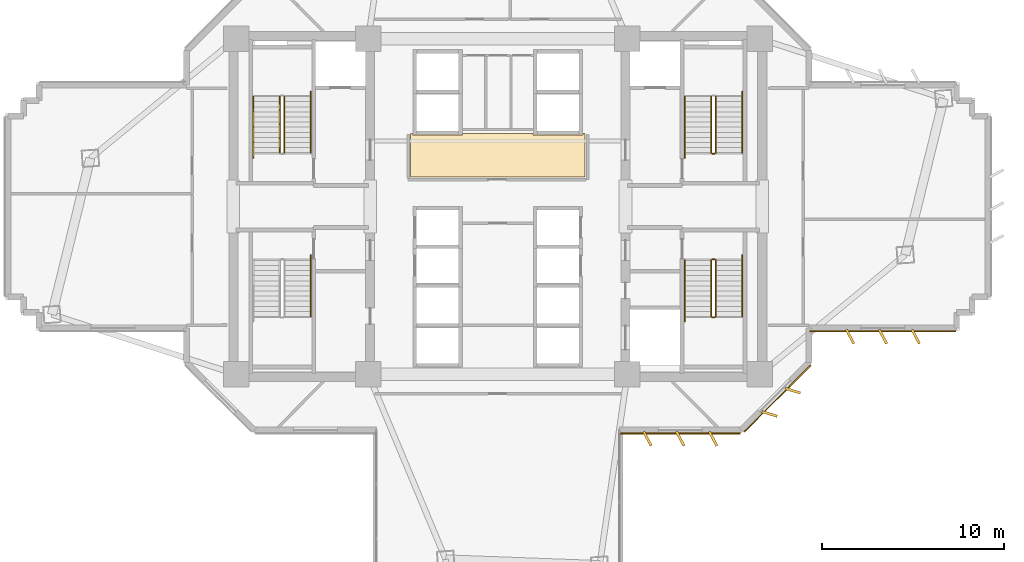
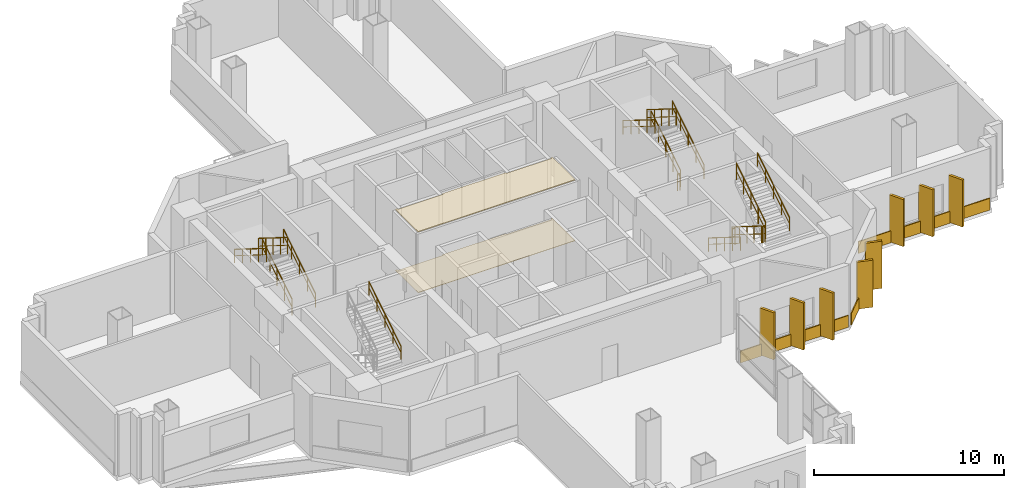
# One storey, part 11 of 14: 16 railings, 8 shading devices, 5 coverings.
"""IFC4 building model written with IfcOpenShell, lengths in metres."""

from ifc_helpers import new_model, si_unit, direction, frame, origin, origin_2d, place, context, subcontext, project, spatial, polyline, rectangle, outline, extrude, source, transform, mapped, material, layer, layer_set, type_object, element, save


model = new_model("IFC4")

# Units and contexts
model_context = context("Model", 3, precision=1e-05, world=origin(), true_north=direction((0.0, 1.0)))
body_context = subcontext(model_context, "Body", "Model", "MODEL_VIEW")
ifc_project = project(units=[si_unit("LENGTHUNIT", "METRE"), si_unit("AREAUNIT", "SQUARE_METRE"), si_unit("VOLUMEUNIT", "CUBIC_METRE"), si_unit("PLANEANGLEUNIT", "RADIAN"), si_unit("MASSUNIT", "GRAM", prefix="KILO")], contexts=[model_context])

# Site, building, storey
site_placement = place(None, origin())
site = spatial("IfcSite", under=ifc_project, at=site_placement, CompositionType="ELEMENT")
building_placement = place(site_placement, origin())
building = spatial("IfcBuilding", under=site, at=building_placement, Name="Zahravan Cultural Tower", CompositionType="ELEMENT")
storey_placement = place(building_placement, frame((0.0, 0.0, 33.300048828125)))
storey = spatial("IfcBuildingStorey", under=building, at=storey_placement, Name="L06", CompositionType="ELEMENT", Elevation=33.300048828125)

# Coverings
ifc_material_1 = material(Name="Acoustic mineral fibreboard")
ifc_layer_1 = layer(ifc_material_1, 0.0400390625)
ifc_layer_set_1 = layer_set([ifc_layer_1], Name="Acoustic mineral fibreboard")
covering_type_1 = type_object("IfcCoveringType", Name="COV-CEIL-AC20", PredefinedType="CEILING", material=ifc_layer_set_1)
covering_1_placement = place(storey_placement, frame((0.0, 0.0, 3.909912109375)))
element("IfcCovering", 1, at=covering_1_placement, inside=storey, type_object=covering_type_1, Name="L06 Acoustic Suspended Ceiling", PredefinedType="CEILING", context=body_context, shape_type="SweptSolid", body=[
    extrude(outline(polyline([(31.219970703125, 31.0), (31.219970703125, 28.6201171875), (40.780029296875, 28.6201171875), (40.780029296875, 31.0), (40.669921875, 31.0), (40.669921875, 30.929931640625), (37.929931640625, 30.929931640625), (37.929931640625, 31.0), (34.070068359375, 31.0), (34.070068359375, 30.929931640625), (31.330078125, 30.929931640625), (31.330078125, 31.0), (31.219970703125, 31.0)])), origin(), (0.0, 0.0, 1.0), 0.0400390625),
])
ifc_material_2 = material(Name="Terrazzo flooring")
ifc_layer_2 = layer(ifc_material_2, 0.02490234375)
ifc_layer_set_2 = layer_set([ifc_layer_2], Name="Terrazzo flooring")
covering_type_2 = type_object("IfcCoveringType", Name="COV-FLR-TZ25", PredefinedType="FLOORING", material=ifc_layer_set_2)
covering_2_placement = place(storey_placement, origin())
element("IfcCovering", 2, at=covering_2_placement, inside=storey, type_object=covering_type_2, Name="L06 Polished Terrazzo Flooring", PredefinedType="FLOORING", context=body_context, shape_type="SweptSolid", body=[
    extrude(outline(polyline([(31.219970703125, 31.0), (31.219970703125, 28.6201171875), (40.780029296875, 28.6201171875), (40.780029296875, 31.0), (40.669921875, 31.0), (40.669921875, 30.929931640625), (37.929931640625, 30.929931640625), (37.929931640625, 31.0), (34.070068359375, 31.0), (34.070068359375, 30.929931640625), (31.330078125, 30.929931640625), (31.330078125, 31.0), (31.219970703125, 31.0)])), origin(), (0.0, 0.0, 1.0), 0.02490234375),
])

# Railings
ifc_material_3 = material(Name="Steel ASTM A572 Grade 50", Category="steel")
railing_type_1 = type_object("IfcRailingType", Name="RL-STAIR-GRD1150", PredefinedType="BALUSTRADE", material=ifc_material_3)
railing_1_placement = place(storey_placement, frame((24.300048828125, 29.949951171875, 0.175048828125)))
element("IfcRailing", 3, at=railing_1_placement, inside=storey, type_object=railing_type_1, Name="L06 ST-W1 stair guard 1", PredefinedType="BALUSTRADE", context=body_context, shape_type="SweptSolid", body=[
    extrude(rectangle(XDim=0.05, YDim=0.05, at=origin_2d()), frame((0.0, 0.0, 1.0751953125), z_axis=(0.0, 0.848028513186, 0.529950602248), x_axis=(-1.0, 0.0, 0.0)), (0.0, 0.0, 1.0), 3.632080078125),
    extrude(rectangle(XDim=0.032, YDim=0.032, at=origin_2d()), frame((0.0, 0.0, 0.572021484375), z_axis=(0.0, 0.848028513186, 0.529950602248), x_axis=(-1.0, 0.0, 0.0)), (0.0, 0.0, 1.0), 3.632080078125),
    extrude(rectangle(XDim=0.04, YDim=0.04, at=origin_2d()), origin(), (0.0, 0.0, 1.0), 1.10009765625),
    extrude(rectangle(XDim=0.04, YDim=0.04, at=origin_2d()), frame((0.0, 0.77001953125, 0.481201171875)), (0.0, 0.0, 1.0), 1.10009765625),
    extrude(rectangle(XDim=0.04, YDim=0.04, at=origin_2d()), frame((0.0, 1.5400390625, 0.96240234375)), (0.0, 0.0, 1.0), 1.10009765625),
    extrude(rectangle(XDim=0.04, YDim=0.04, at=origin_2d()), frame((0.0, 2.31005859375, 1.443603515625)), (0.0, 0.0, 1.0), 1.10009765625),
    extrude(rectangle(XDim=0.04, YDim=0.04, at=origin_2d()), frame((0.0, 3.080078125, 1.9248046875)), (0.0, 0.0, 1.0), 1.10009765625),
])
railing_2_placement = place(storey_placement, frame((24.050048828125, 33.030029296875, 2.27490234375)))
element("IfcRailing", 4, at=railing_2_placement, inside=storey, type_object=railing_type_1, Name="L06 ST-W1 stair guard 3", PredefinedType="BALUSTRADE", context=body_context, shape_type="SweptSolid", body=[
    extrude(rectangle(XDim=0.05, YDim=0.05, at=origin_2d()), frame((0.0, 0.0, 1.0751953125), z_axis=(0.0, -0.847998304005, 0.529998940003), x_axis=(1.0, 0.0, 0.0)), (0.0, 0.0, 1.0), 3.632080078125),
    extrude(rectangle(XDim=0.032, YDim=0.032, at=origin_2d()), frame((0.0, 0.0, 0.572021484375), z_axis=(0.0, -0.847998304005, 0.529998940003), x_axis=(1.0, 0.0, 0.0)), (0.0, 0.0, 1.0), 3.632080078125),
    extrude(rectangle(XDim=0.04, YDim=0.04, at=origin_2d()), origin(), (0.0, 0.0, 1.0), 1.10009765625),
    extrude(rectangle(XDim=0.04, YDim=0.04, at=origin_2d()), frame((0.0, -0.77001953125, 0.481201171875)), (0.0, 0.0, 1.0), 1.10009765625),
    extrude(rectangle(XDim=0.04, YDim=0.04, at=origin_2d()), frame((0.0, -1.5400390625, 0.96240234375)), (0.0, 0.0, 1.0), 1.10009765625),
    extrude(rectangle(XDim=0.04, YDim=0.04, at=origin_2d()), frame((0.0, -2.31005859375, 1.44384765625)), (0.0, 0.0, 1.0), 1.10009765625),
    extrude(rectangle(XDim=0.04, YDim=0.04, at=origin_2d()), frame((0.0, -3.080078125, 1.925048828125)), (0.0, 0.0, 1.0), 1.10009765625),
])
railing_3_placement = place(storey_placement, frame((47.949951171875, 29.949951171875, 0.175048828125)))
element("IfcRailing", 5, at=railing_3_placement, inside=storey, type_object=railing_type_1, Name="L06 ST-E1 stair guard 1", PredefinedType="BALUSTRADE", context=body_context, shape_type="SweptSolid", body=[
    extrude(rectangle(XDim=0.05, YDim=0.05, at=origin_2d()), frame((0.0, 0.0, 1.0751953125), z_axis=(0.0, 0.848028513186, 0.529950602248), x_axis=(-1.0, 0.0, 0.0)), (0.0, 0.0, 1.0), 3.632080078125),
    extrude(rectangle(XDim=0.032, YDim=0.032, at=origin_2d()), frame((0.0, 0.0, 0.572021484375), z_axis=(0.0, 0.848028513186, 0.529950602248), x_axis=(-1.0, 0.0, 0.0)), (0.0, 0.0, 1.0), 3.632080078125),
    extrude(rectangle(XDim=0.04, YDim=0.04, at=origin_2d()), origin(), (0.0, 0.0, 1.0), 1.10009765625),
    extrude(rectangle(XDim=0.04, YDim=0.04, at=origin_2d()), frame((0.0, 0.77001953125, 0.481201171875)), (0.0, 0.0, 1.0), 1.10009765625),
    extrude(rectangle(XDim=0.04, YDim=0.04, at=origin_2d()), frame((0.0, 1.5400390625, 0.96240234375)), (0.0, 0.0, 1.0), 1.10009765625),
    extrude(rectangle(XDim=0.04, YDim=0.04, at=origin_2d()), frame((0.0, 2.31005859375, 1.443603515625)), (0.0, 0.0, 1.0), 1.10009765625),
    extrude(rectangle(XDim=0.04, YDim=0.04, at=origin_2d()), frame((0.0, 3.080078125, 1.9248046875)), (0.0, 0.0, 1.0), 1.10009765625),
])
railing_4_placement = place(storey_placement, frame((47.699951171875, 33.030029296875, 2.27490234375)))
element("IfcRailing", 6, at=railing_4_placement, inside=storey, type_object=railing_type_1, Name="L06 ST-E1 stair guard 3", PredefinedType="BALUSTRADE", context=body_context, shape_type="SweptSolid", body=[
    extrude(rectangle(XDim=0.05, YDim=0.05, at=origin_2d()), frame((0.0, 0.0, 1.0751953125), z_axis=(0.0, -0.847998304005, 0.529998940003), x_axis=(1.0, 0.0, 0.0)), (0.0, 0.0, 1.0), 3.632080078125),
    extrude(rectangle(XDim=0.032, YDim=0.032, at=origin_2d()), frame((0.0, 0.0, 0.572021484375), z_axis=(0.0, -0.847998304005, 0.529998940003), x_axis=(1.0, 0.0, 0.0)), (0.0, 0.0, 1.0), 3.632080078125),
    extrude(rectangle(XDim=0.04, YDim=0.04, at=origin_2d()), origin(), (0.0, 0.0, 1.0), 1.10009765625),
    extrude(rectangle(XDim=0.04, YDim=0.04, at=origin_2d()), frame((0.0, -0.77001953125, 0.481201171875)), (0.0, 0.0, 1.0), 1.10009765625),
    extrude(rectangle(XDim=0.04, YDim=0.04, at=origin_2d()), frame((0.0, -1.5400390625, 0.96240234375)), (0.0, 0.0, 1.0), 1.10009765625),
    extrude(rectangle(XDim=0.04, YDim=0.04, at=origin_2d()), frame((0.0, -2.31005859375, 1.44384765625)), (0.0, 0.0, 1.0), 1.10009765625),
    extrude(rectangle(XDim=0.04, YDim=0.04, at=origin_2d()), frame((0.0, -3.080078125, 1.925048828125)), (0.0, 0.0, 1.0), 1.10009765625),
])
railing_5_placement = place(storey_placement, frame((47.89990234375, 29.89990234375, 0.0)))
element("IfcRailing", 7, at=railing_5_placement, inside=storey, type_object=railing_type_1, Name="L06 ST-E1 stair guard 4", PredefinedType="BALUSTRADE", context=body_context, shape_type="SweptSolid", body=[
    extrude(rectangle(XDim=0.05, YDim=0.05, at=origin_2d()), frame((0.0, 0.0, 1.0751953125), z_axis=(-1.0, 0.0, 0.0), x_axis=(0.0, -1.0, 0.0)), (0.0, 0.0, 1.0), 0.14990234375),
    extrude(rectangle(XDim=0.032, YDim=0.032, at=origin_2d()), frame((0.0, 0.0, 0.572021484375), z_axis=(-1.0, 0.0, 0.0), x_axis=(0.0, -1.0, 0.0)), (0.0, 0.0, 1.0), 0.14990234375),
    extrude(rectangle(XDim=0.04, YDim=0.04, at=origin_2d()), origin(), (0.0, 0.0, 1.0), 1.10009765625),
    extrude(rectangle(XDim=0.04, YDim=0.04, at=origin_2d()), frame((-0.14990234375, 0.0, 0.0)), (0.0, 0.0, 1.0), 1.10009765625),
])
railing_6_placement = place(storey_placement, frame((47.699951171875, 24.050048828125, 0.175048828125)))
element("IfcRailing", 8, at=railing_6_placement, inside=storey, type_object=railing_type_1, Name="L06 ST-E2 stair guard 1", PredefinedType="BALUSTRADE", context=body_context, shape_type="SweptSolid", body=[
    extrude(rectangle(XDim=0.05, YDim=0.05, at=origin_2d()), frame((0.0, 0.0, 1.0751953125), z_axis=(0.0, -0.848028513186, 0.529950602248), x_axis=(1.0, 0.0, 0.0)), (0.0, 0.0, 1.0), 3.632080078125),
    extrude(rectangle(XDim=0.032, YDim=0.032, at=origin_2d()), frame((0.0, 0.0, 0.572021484375), z_axis=(0.0, -0.848028513186, 0.529950602248), x_axis=(1.0, 0.0, 0.0)), (0.0, 0.0, 1.0), 3.632080078125),
    extrude(rectangle(XDim=0.04, YDim=0.04, at=origin_2d()), origin(), (0.0, 0.0, 1.0), 1.10009765625),
    extrude(rectangle(XDim=0.04, YDim=0.04, at=origin_2d()), frame((0.0, -0.77001953125, 0.481201171875)), (0.0, 0.0, 1.0), 1.10009765625),
    extrude(rectangle(XDim=0.04, YDim=0.04, at=origin_2d()), frame((0.0, -1.5400390625, 0.96240234375)), (0.0, 0.0, 1.0), 1.10009765625),
    extrude(rectangle(XDim=0.04, YDim=0.04, at=origin_2d()), frame((0.0, -2.31005859375, 1.443603515625)), (0.0, 0.0, 1.0), 1.10009765625),
    extrude(rectangle(XDim=0.04, YDim=0.04, at=origin_2d()), frame((0.0, -3.080078125, 1.9248046875)), (0.0, 0.0, 1.0), 1.10009765625),
])
railing_7_placement = place(storey_placement, frame((47.75, 20.919921875, 2.099853515625)))
element("IfcRailing", 9, at=railing_7_placement, inside=storey, type_object=railing_type_1, Name="L06 ST-E2 stair guard 2", PredefinedType="BALUSTRADE", context=body_context, shape_type="SweptSolid", body=[
    extrude(rectangle(XDim=0.05, YDim=0.05, at=origin_2d()), frame((0.0, 0.0, 1.0751953125), z_axis=(1.0, 0.0, 0.0), x_axis=(0.0, 1.0, 0.0)), (0.0, 0.0, 1.0), 0.14990234375),
    extrude(rectangle(XDim=0.032, YDim=0.032, at=origin_2d()), frame((0.0, 0.0, 0.572021484375), z_axis=(1.0, 0.0, 0.0), x_axis=(0.0, 1.0, 0.0)), (0.0, 0.0, 1.0), 0.14990234375),
    extrude(rectangle(XDim=0.04, YDim=0.04, at=origin_2d()), origin(), (0.0, 0.0, 1.0), 1.10009765625),
    extrude(rectangle(XDim=0.04, YDim=0.04, at=origin_2d()), frame((0.14990234375, 0.0, 0.0)), (0.0, 0.0, 1.0), 1.10009765625),
])
railing_8_placement = place(storey_placement, frame((47.949951171875, 20.969970703125, 2.27490234375)))
element("IfcRailing", 10, at=railing_8_placement, inside=storey, type_object=railing_type_1, Name="L06 ST-E2 stair guard 3", PredefinedType="BALUSTRADE", context=body_context, shape_type="SweptSolid", body=[
    extrude(rectangle(XDim=0.05, YDim=0.05, at=origin_2d()), frame((0.0, 0.0, 1.0751953125), z_axis=(0.0, 0.847998304005, 0.529998940003), x_axis=(-1.0, 0.0, 0.0)), (0.0, 0.0, 1.0), 3.632080078125),
    extrude(rectangle(XDim=0.032, YDim=0.032, at=origin_2d()), frame((0.0, 0.0, 0.572021484375), z_axis=(0.0, 0.847998304005, 0.529998940003), x_axis=(-1.0, 0.0, 0.0)), (0.0, 0.0, 1.0), 3.632080078125),
    extrude(rectangle(XDim=0.04, YDim=0.04, at=origin_2d()), origin(), (0.0, 0.0, 1.0), 1.10009765625),
    extrude(rectangle(XDim=0.04, YDim=0.04, at=origin_2d()), frame((0.0, 0.77001953125, 0.481201171875)), (0.0, 0.0, 1.0), 1.10009765625),
    extrude(rectangle(XDim=0.04, YDim=0.04, at=origin_2d()), frame((0.0, 1.5400390625, 0.96240234375)), (0.0, 0.0, 1.0), 1.10009765625),
    extrude(rectangle(XDim=0.04, YDim=0.04, at=origin_2d()), frame((0.0, 2.31005859375, 1.44384765625)), (0.0, 0.0, 1.0), 1.10009765625),
    extrude(rectangle(XDim=0.04, YDim=0.04, at=origin_2d()), frame((0.0, 3.080078125, 1.925048828125)), (0.0, 0.0, 1.0), 1.10009765625),
])
railing_9_placement = place(storey_placement, frame((47.75, 24.10009765625, 0.0)))
element("IfcRailing", 11, at=railing_9_placement, inside=storey, type_object=railing_type_1, Name="L06 ST-E2 stair guard 4", PredefinedType="BALUSTRADE", context=body_context, shape_type="SweptSolid", body=[
    extrude(rectangle(XDim=0.05, YDim=0.05, at=origin_2d()), frame((0.0, 0.0, 1.0751953125), z_axis=(1.0, 0.0, 0.0), x_axis=(0.0, 1.0, 0.0)), (0.0, 0.0, 1.0), 0.14990234375),
    extrude(rectangle(XDim=0.032, YDim=0.032, at=origin_2d()), frame((0.0, 0.0, 0.572021484375), z_axis=(1.0, 0.0, 0.0), x_axis=(0.0, 1.0, 0.0)), (0.0, 0.0, 1.0), 0.14990234375),
    extrude(rectangle(XDim=0.04, YDim=0.04, at=origin_2d()), origin(), (0.0, 0.0, 1.0), 1.10009765625),
    extrude(rectangle(XDim=0.04, YDim=0.04, at=origin_2d()), frame((0.14990234375, 0.0, 0.0)), (0.0, 0.0, 1.0), 1.10009765625),
])
railing_type_2 = type_object("IfcRailingType", Name="RL-STAIR-HR900", PredefinedType="HANDRAIL", material=ifc_material_3)
railing_10_placement = place(storey_placement, frame((25.75, 29.949951171875, 0.175048828125)))
element("IfcRailing", 12, at=railing_10_placement, inside=storey, type_object=railing_type_2, Name="L06 ST-W1 stair handrail 1", PredefinedType="HANDRAIL", context=body_context, shape_type="SweptSolid", body=[
    extrude(rectangle(XDim=0.05, YDim=0.05, at=origin_2d()), frame((0.0, 0.0, 0.875), z_axis=(0.0, 0.848022534174, 0.529960169762), x_axis=(-1.0, 0.0, 0.0)), (0.0, 0.0, 1.0), 3.96240234375),
    extrude(rectangle(XDim=0.032, YDim=0.032, at=origin_2d()), frame((0.0, 0.0, 0.468017578125), z_axis=(0.0, 0.848022534174, 0.529960169762), x_axis=(-1.0, 0.0, 0.0)), (0.0, 0.0, 1.0), 3.96240234375),
    extrude(rectangle(XDim=0.04, YDim=0.04, at=origin_2d()), origin(), (0.0, 0.0, 1.0), 0.89990234375),
    extrude(rectangle(XDim=0.04, YDim=0.04, at=origin_2d()), frame((0.0, 0.840087890625, 0.52490234375)), (0.0, 0.0, 1.0), 0.89990234375),
    extrude(rectangle(XDim=0.04, YDim=0.04, at=origin_2d()), frame((0.0, 1.68017578125, 1.0498046875)), (0.0, 0.0, 1.0), 0.89990234375),
    extrude(rectangle(XDim=0.04, YDim=0.04, at=origin_2d()), frame((0.0, 2.52001953125, 1.574951171875)), (0.0, 0.0, 1.0), 0.89990234375),
    extrude(rectangle(XDim=0.04, YDim=0.04, at=origin_2d()), frame((0.0, 3.360107421875, 2.099853515625)), (0.0, 0.0, 1.0), 0.89990234375),
])
railing_11_placement = place(storey_placement, frame((22.60009765625, 33.030029296875, 2.27490234375)))
element("IfcRailing", 13, at=railing_11_placement, inside=storey, type_object=railing_type_2, Name="L06 ST-W1 stair handrail 2", PredefinedType="HANDRAIL", context=body_context, shape_type="SweptSolid", body=[
    extrude(rectangle(XDim=0.05, YDim=0.05, at=origin_2d()), frame((0.0, 0.0, 0.875), z_axis=(0.0, -0.847994842521, 0.530004478338), x_axis=(1.0, 0.0, 0.0)), (0.0, 0.0, 1.0), 3.96240234375),
    extrude(rectangle(XDim=0.032, YDim=0.032, at=origin_2d()), frame((0.0, 0.0, 0.468017578125), z_axis=(0.0, -0.847994842521, 0.530004478338), x_axis=(1.0, 0.0, 0.0)), (0.0, 0.0, 1.0), 3.96240234375),
    extrude(rectangle(XDim=0.04, YDim=0.04, at=origin_2d()), origin(), (0.0, 0.0, 1.0), 0.89990234375),
    extrude(rectangle(XDim=0.04, YDim=0.04, at=origin_2d()), frame((0.0, -0.840087890625, 0.52490234375)), (0.0, 0.0, 1.0), 0.89990234375),
    extrude(rectangle(XDim=0.04, YDim=0.04, at=origin_2d()), frame((0.0, -1.68017578125, 1.050048828125)), (0.0, 0.0, 1.0), 0.89990234375),
    extrude(rectangle(XDim=0.04, YDim=0.04, at=origin_2d()), frame((0.0, -2.52001953125, 1.5751953125)), (0.0, 0.0, 1.0), 0.89990234375),
    extrude(rectangle(XDim=0.04, YDim=0.04, at=origin_2d()), frame((0.0, -3.360107421875, 2.10009765625)), (0.0, 0.0, 1.0), 0.89990234375),
])
railing_12_placement = place(storey_placement, frame((25.75, 20.969970703125, 2.27490234375)))
element("IfcRailing", 14, at=railing_12_placement, inside=storey, type_object=railing_type_2, Name="L06 ST-W2 stair handrail 2", PredefinedType="HANDRAIL", context=body_context, shape_type="SweptSolid", body=[
    extrude(rectangle(XDim=0.05, YDim=0.05, at=origin_2d()), frame((0.0, 0.0, 0.875), z_axis=(0.0, 0.847994842521, 0.530004478338), x_axis=(-1.0, 0.0, 0.0)), (0.0, 0.0, 1.0), 3.96240234375),
    extrude(rectangle(XDim=0.032, YDim=0.032, at=origin_2d()), frame((0.0, 0.0, 0.468017578125), z_axis=(0.0, 0.847994842521, 0.530004478338), x_axis=(-1.0, 0.0, 0.0)), (0.0, 0.0, 1.0), 3.96240234375),
    extrude(rectangle(XDim=0.04, YDim=0.04, at=origin_2d()), origin(), (0.0, 0.0, 1.0), 0.89990234375),
    extrude(rectangle(XDim=0.04, YDim=0.04, at=origin_2d()), frame((0.0, 0.840087890625, 0.52490234375)), (0.0, 0.0, 1.0), 0.89990234375),
    extrude(rectangle(XDim=0.04, YDim=0.04, at=origin_2d()), frame((0.0, 1.68017578125, 1.050048828125)), (0.0, 0.0, 1.0), 0.89990234375),
    extrude(rectangle(XDim=0.04, YDim=0.04, at=origin_2d()), frame((0.0, 2.52001953125, 1.5751953125)), (0.0, 0.0, 1.0), 0.89990234375),
    extrude(rectangle(XDim=0.04, YDim=0.04, at=origin_2d()), frame((0.0, 3.360107421875, 2.10009765625)), (0.0, 0.0, 1.0), 0.89990234375),
])
railing_13_placement = place(storey_placement, frame((49.39990234375, 29.949951171875, 0.175048828125)))
element("IfcRailing", 15, at=railing_13_placement, inside=storey, type_object=railing_type_2, Name="L06 ST-E1 stair handrail 1", PredefinedType="HANDRAIL", context=body_context, shape_type="SweptSolid", body=[
    extrude(rectangle(XDim=0.05, YDim=0.05, at=origin_2d()), frame((0.0, 0.0, 0.875), z_axis=(0.0, 0.848022534174, 0.529960169762), x_axis=(-1.0, 0.0, 0.0)), (0.0, 0.0, 1.0), 3.96240234375),
    extrude(rectangle(XDim=0.032, YDim=0.032, at=origin_2d()), frame((0.0, 0.0, 0.468017578125), z_axis=(0.0, 0.848022534174, 0.529960169762), x_axis=(-1.0, 0.0, 0.0)), (0.0, 0.0, 1.0), 3.96240234375),
    extrude(rectangle(XDim=0.04, YDim=0.04, at=origin_2d()), origin(), (0.0, 0.0, 1.0), 0.89990234375),
    extrude(rectangle(XDim=0.04, YDim=0.04, at=origin_2d()), frame((0.0, 0.840087890625, 0.52490234375)), (0.0, 0.0, 1.0), 0.89990234375),
    extrude(rectangle(XDim=0.04, YDim=0.04, at=origin_2d()), frame((0.0, 1.68017578125, 1.0498046875)), (0.0, 0.0, 1.0), 0.89990234375),
    extrude(rectangle(XDim=0.04, YDim=0.04, at=origin_2d()), frame((0.0, 2.52001953125, 1.574951171875)), (0.0, 0.0, 1.0), 0.89990234375),
    extrude(rectangle(XDim=0.04, YDim=0.04, at=origin_2d()), frame((0.0, 3.360107421875, 2.099853515625)), (0.0, 0.0, 1.0), 0.89990234375),
])
railing_14_placement = place(storey_placement, frame((46.25, 33.030029296875, 2.27490234375)))
element("IfcRailing", 16, at=railing_14_placement, inside=storey, type_object=railing_type_2, Name="L06 ST-E1 stair handrail 2", PredefinedType="HANDRAIL", context=body_context, shape_type="SweptSolid", body=[
    extrude(rectangle(XDim=0.05, YDim=0.05, at=origin_2d()), frame((0.0, 0.0, 0.875), z_axis=(0.0, -0.847994842521, 0.530004478338), x_axis=(1.0, 0.0, 0.0)), (0.0, 0.0, 1.0), 3.96240234375),
    extrude(rectangle(XDim=0.032, YDim=0.032, at=origin_2d()), frame((0.0, 0.0, 0.468017578125), z_axis=(0.0, -0.847994842521, 0.530004478338), x_axis=(1.0, 0.0, 0.0)), (0.0, 0.0, 1.0), 3.96240234375),
    extrude(rectangle(XDim=0.04, YDim=0.04, at=origin_2d()), origin(), (0.0, 0.0, 1.0), 0.89990234375),
    extrude(rectangle(XDim=0.04, YDim=0.04, at=origin_2d()), frame((0.0, -0.840087890625, 0.52490234375)), (0.0, 0.0, 1.0), 0.89990234375),
    extrude(rectangle(XDim=0.04, YDim=0.04, at=origin_2d()), frame((0.0, -1.68017578125, 1.050048828125)), (0.0, 0.0, 1.0), 0.89990234375),
    extrude(rectangle(XDim=0.04, YDim=0.04, at=origin_2d()), frame((0.0, -2.52001953125, 1.5751953125)), (0.0, 0.0, 1.0), 0.89990234375),
    extrude(rectangle(XDim=0.04, YDim=0.04, at=origin_2d()), frame((0.0, -3.360107421875, 2.10009765625)), (0.0, 0.0, 1.0), 0.89990234375),
])
railing_15_placement = place(storey_placement, frame((46.25, 24.050048828125, 0.175048828125)))
element("IfcRailing", 17, at=railing_15_placement, inside=storey, type_object=railing_type_2, Name="L06 ST-E2 stair handrail 1", PredefinedType="HANDRAIL", context=body_context, shape_type="SweptSolid", body=[
    extrude(rectangle(XDim=0.05, YDim=0.05, at=origin_2d()), frame((0.0, 0.0, 0.875), z_axis=(0.0, -0.848022534174, 0.529960169762), x_axis=(1.0, 0.0, 0.0)), (0.0, 0.0, 1.0), 3.96240234375),
    extrude(rectangle(XDim=0.032, YDim=0.032, at=origin_2d()), frame((0.0, 0.0, 0.468017578125), z_axis=(0.0, -0.848022534174, 0.529960169762), x_axis=(1.0, 0.0, 0.0)), (0.0, 0.0, 1.0), 3.96240234375),
    extrude(rectangle(XDim=0.04, YDim=0.04, at=origin_2d()), origin(), (0.0, 0.0, 1.0), 0.89990234375),
    extrude(rectangle(XDim=0.04, YDim=0.04, at=origin_2d()), frame((0.0, -0.840087890625, 0.52490234375)), (0.0, 0.0, 1.0), 0.89990234375),
    extrude(rectangle(XDim=0.04, YDim=0.04, at=origin_2d()), frame((0.0, -1.68017578125, 1.0498046875)), (0.0, 0.0, 1.0), 0.89990234375),
    extrude(rectangle(XDim=0.04, YDim=0.04, at=origin_2d()), frame((0.0, -2.52001953125, 1.574951171875)), (0.0, 0.0, 1.0), 0.89990234375),
    extrude(rectangle(XDim=0.04, YDim=0.04, at=origin_2d()), frame((0.0, -3.360107421875, 2.099853515625)), (0.0, 0.0, 1.0), 0.89990234375),
])
railing_16_placement = place(storey_placement, frame((49.39990234375, 20.969970703125, 2.27490234375)))
element("IfcRailing", 18, at=railing_16_placement, inside=storey, type_object=railing_type_2, Name="L06 ST-E2 stair handrail 2", PredefinedType="HANDRAIL", context=body_context, shape_type="SweptSolid", body=[
    extrude(rectangle(XDim=0.05, YDim=0.05, at=origin_2d()), frame((0.0, 0.0, 0.875), z_axis=(0.0, 0.847994842521, 0.530004478338), x_axis=(-1.0, 0.0, 0.0)), (0.0, 0.0, 1.0), 3.96240234375),
    extrude(rectangle(XDim=0.032, YDim=0.032, at=origin_2d()), frame((0.0, 0.0, 0.468017578125), z_axis=(0.0, 0.847994842521, 0.530004478338), x_axis=(-1.0, 0.0, 0.0)), (0.0, 0.0, 1.0), 3.96240234375),
    extrude(rectangle(XDim=0.04, YDim=0.04, at=origin_2d()), origin(), (0.0, 0.0, 1.0), 0.89990234375),
    extrude(rectangle(XDim=0.04, YDim=0.04, at=origin_2d()), frame((0.0, 0.840087890625, 0.52490234375)), (0.0, 0.0, 1.0), 0.89990234375),
    extrude(rectangle(XDim=0.04, YDim=0.04, at=origin_2d()), frame((0.0, 1.68017578125, 1.050048828125)), (0.0, 0.0, 1.0), 0.89990234375),
    extrude(rectangle(XDim=0.04, YDim=0.04, at=origin_2d()), frame((0.0, 2.52001953125, 1.5751953125)), (0.0, 0.0, 1.0), 0.89990234375),
    extrude(rectangle(XDim=0.04, YDim=0.04, at=origin_2d()), frame((0.0, 3.360107421875, 2.10009765625)), (0.0, 0.0, 1.0), 0.89990234375),
])

# Covering
ifc_material_4 = material(Name="Terracotta ceramic cladding", Category="masonry")
ifc_layer_3 = layer(ifc_material_4, 0.06005859375)
ifc_layer_set_3 = layer_set([ifc_layer_3], Name="Terracotta ceramic cladding")
covering_type_3 = type_object("IfcCoveringType", Name="COV-CLAD-TC60", PredefinedType="CLADDING", material=ifc_layer_set_3)
shared_shape_1 = source(origin(), body_context, "Body", "SweptSolid", [
    extrude(rectangle(XDim=8.0, YDim=0.06005859375, at=origin_2d()), origin(), (0.0, 0.0, 1.0), 0.760009765625),
])
covering_3_placement = place(storey_placement, frame((57.110107421875, 20.155029296875, 0.02001953125), z_axis=(0.0, 0.0, 1.0), x_axis=(-1.0, 0.0, 0.0)))
element("IfcCovering", 19, at=covering_3_placement, inside=storey, type_object=covering_type_3, Name="L06 Terracotta Spandrel Cladding 11", PredefinedType="CLADDING", context=body_context, shape_type="MappedRepresentation", body=[
    mapped(shared_shape_1, transform((0.0, 0.0, 0.0), x_axis=(1.0, 0.0, 0.0), y_axis=(0.0, 1.0, 0.0), z_axis=(0.0, 0.0, 1.0), scale=1.0)),
])

# Shading devices
ifc_material_5 = material(Name="Architectural terracotta fin", Category="masonry")
shading_device_type = type_object("IfcShadingDeviceType", Name="SHD-FIN-880", PredefinedType="USERDEFINED", material=ifc_material_5)
shared_shape_2 = source(origin(), body_context, "Body", "SweptSolid", [
    extrude(rectangle(XDim=0.8798828125, YDim=0.139892578125, at=origin_2d()), origin(), (0.0, 0.0, 1.0), 3.030029296875),
])
for number, where, z_axis, x_axis, name in (
    (20, (58.909912109375, 19.8701171875, 0.0498046875), (0.0, 0.0, 1.0), (0.469471562786, -0.882947592859, 0.0), "L06 Herringbone Terracotta Fin 07"),
    (21, (57.110107421875, 19.8701171875, 0.0498046875), (0.0, 0.0, 1.0), (0.469471562786, -0.882947592859, 0.0), "L06 Herringbone Terracotta Fin 08"),
    (22, (55.31005859375, 19.8701171875, 0.0498046875), (0.0, 0.0, 1.0), (0.469471562786, -0.882947592859, 0.0), "L06 Herringbone Terracotta Fin 09"),
    (23, (52.169677734375, 16.903076171875, 0.0498046875), (0.0, 0.0, 1.0), (0.956304755963, -0.292371704723, 0.0), "L06 Herringbone Terracotta Fin 10"),
    (24, (50.89697265625, 15.63037109375, 0.0498046875), (0.0, 0.0, 1.0), (0.956304755963, -0.292371704723, 0.0), "L06 Herringbone Terracotta Fin 11"),
    (25, (47.801025390625, 14.27001953125, 0.0498046875), (0.0, 0.0, 1.0), (0.469471562786, -0.882947592859, 0.0), "L06 Herringbone Terracotta Fin 12"),
    (26, (46.0009765625, 14.27001953125, 0.0498046875), (0.0, 0.0, 1.0), (0.469471562786, -0.882947592859, 0.0), "L06 Herringbone Terracotta Fin 13"),
    (27, (44.200927734375, 14.27001953125, 0.0498046875), (0.0, 0.0, 1.0), (0.469471562786, -0.882947592859, 0.0), "L06 Herringbone Terracotta Fin 14"),
):
    element("IfcShadingDevice", number, at=place(storey_placement, frame(where, z_axis=z_axis, x_axis=x_axis)), inside=storey, type_object=shading_device_type, Name=name, ObjectType="FIN", PredefinedType="USERDEFINED", context=body_context, shape_type="MappedRepresentation", body=[
        mapped(shared_shape_2, transform((0.0, 0.0, 0.0), x_axis=(1.0, 0.0, 0.0), y_axis=(0.0, 1.0, 0.0), z_axis=(0.0, 0.0, 1.0), scale=1.0)),
    ])

# Coverings
shared_shape_3 = source(origin(), body_context, "Body", "SweptSolid", [
    extrude(rectangle(XDim=5.157958984375, YDim=0.06005859375, at=origin_2d()), origin(), (0.0, 0.0, 1.0), 0.760009765625),
])
covering_4_placement = place(storey_placement, frame((51.331787109375, 16.46826171875, 0.02001953125), z_axis=(0.0, 0.0, 1.0), x_axis=(-0.707106781187, -0.707106781187, 0.0)))
element("IfcCovering", 28, at=covering_4_placement, inside=storey, type_object=covering_type_3, Name="L06 Terracotta Spandrel Cladding 13", PredefinedType="CLADDING", context=body_context, shape_type="MappedRepresentation", body=[
    mapped(shared_shape_3, transform((0.0, 0.0, 0.0), x_axis=(1.0, 0.0, 0.0), y_axis=(0.0, 1.0, 0.0), z_axis=(0.0, 0.0, 1.0), scale=1.0)),
])
shared_shape_4 = source(origin(), body_context, "Body", "SweptSolid", [
    extrude(rectangle(XDim=6.58203125, YDim=0.06005859375, at=origin_2d()), origin(), (0.0, 0.0, 1.0), 0.760009765625),
])
covering_5_placement = place(storey_placement, frame((46.0009765625, 14.554931640625, 0.02001953125), z_axis=(0.0, 0.0, 1.0), x_axis=(-1.0, 0.0, 0.0)))
element("IfcCovering", 29, at=covering_5_placement, inside=storey, type_object=covering_type_3, Name="L06 Terracotta Spandrel Cladding 14", PredefinedType="CLADDING", context=body_context, shape_type="MappedRepresentation", body=[
    mapped(shared_shape_4, transform((0.0, 0.0, 0.0), x_axis=(1.0, 0.0, 0.0), y_axis=(0.0, 1.0, 0.0), z_axis=(0.0, 0.0, 1.0), scale=1.0)),
])

save(model, "model.ifc")
